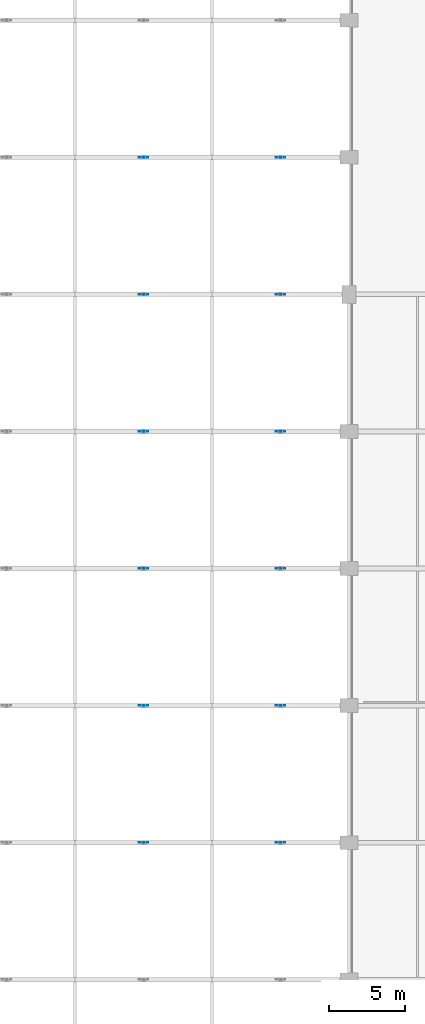
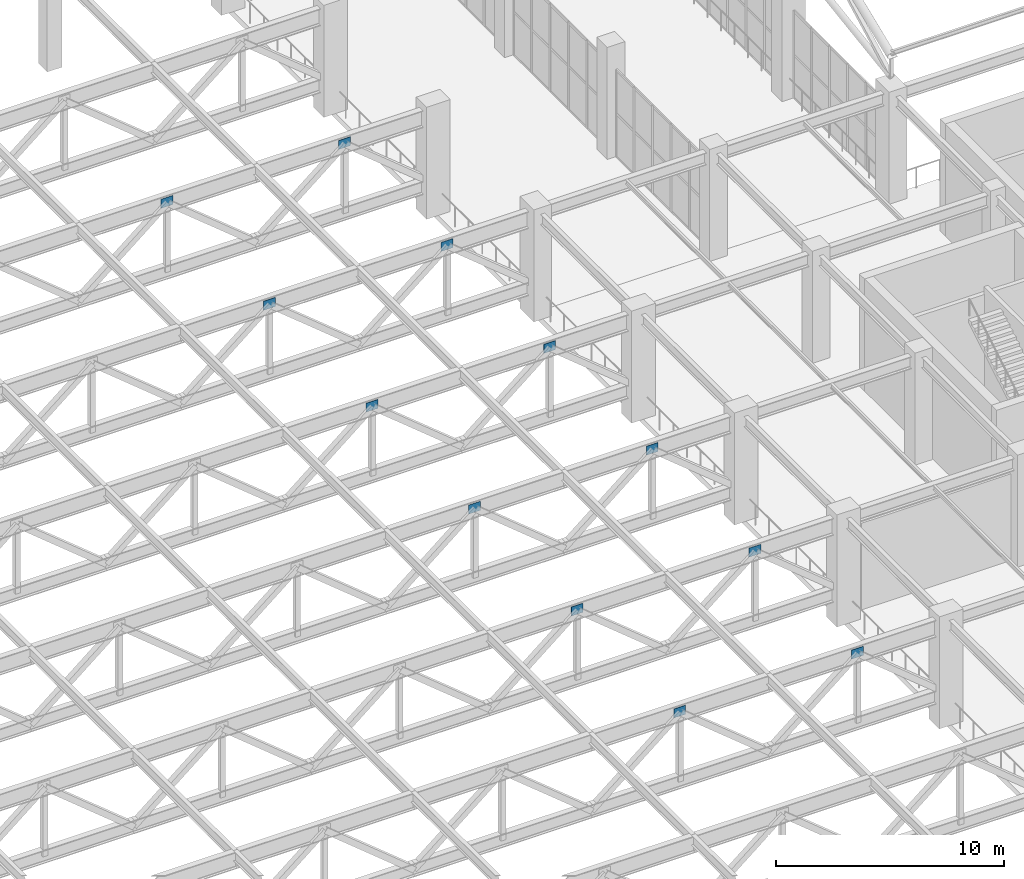
# One storey, part 185 of 223: 12 plates.
"""IFC4 building model written with IfcOpenShell, lengths in metres."""

import ifcopenshell
import ifcopenshell.guid

model = None  # the IFC model being written
_history = None  # IfcOwnerHistory: only IFC2X3 demands one
_inside = {}  # id of a spatial element -> (the spatial element, [elements in it])
_under = {}  # id of a project, library or spatial element -> (it, [spatial elements below it])
_declared = {}  # id of a project -> (the project, [libraries it declares])
_typed = {}  # id of a type object -> (the type object, [elements of that type])
_made_of = {}  # id of a material, layer set ... -> (it, [elements and type objects made of it])


def new_model(schema):
    """Start an empty IFC model of exactly this schema.

    Asked for "IFC4X3", IfcOpenShell would pick the latest addendum, in which some entities
    have other attributes; the version numbers below select the first issue.
    IFC2X3 requires an IfcOwnerHistory on every rooted entity: one is made here for all.
    """
    global model, _history
    if schema == "IFC4X3":
        model = ifcopenshell.file(schema_version=(4, 3, 0, 0))
    else:
        model = ifcopenshell.file(schema=schema)
    _inside.clear()
    _under.clear()
    _declared.clear()
    _typed.clear()
    _made_of.clear()
    _history = None
    if model.schema == "IFC2X3":
        org = make("IfcOrganization", Name="unknown")
        user = make(
            "IfcPersonAndOrganization",
            ThePerson=make("IfcPerson", FamilyName="unknown"),
            TheOrganization=org,
        )
        app = make(
            "IfcApplication",
            ApplicationDeveloper=org,
            Version="unknown",
            ApplicationFullName="unknown",
            ApplicationIdentifier="unknown",
        )
        _history = make(
            "IfcOwnerHistory",
            OwningUser=user,
            OwningApplication=app,
            ChangeAction="ADDED",
            CreationDate=0,
        )
    return model


def make(cls, **values):
    """One entity of the class cls with the attributes given. An attribute that is None is left unset."""
    return model.create_entity(
        cls, **{name: value for name, value in values.items() if value is not None}
    )


def rooted(cls, **values):
    """An entity with a GlobalId (a new one), such as an element, a storey or a relation."""
    return make(cls, GlobalId=ifcopenshell.guid.new(), OwnerHistory=_history, **values)


def si_unit(unit_type, name, prefix=None):
    """IfcSIUnit, for example si_unit("LENGTHUNIT", "METRE", prefix="MILLI")."""
    return make("IfcSIUnit", UnitType=unit_type, Prefix=prefix, Name=name)


def assignment(units):
    """IfcUnitAssignment: the units of a project."""
    return None if units is None else make("IfcUnitAssignment", Units=units)


def point(xyz):
    """IfcCartesianPoint."""
    return None if xyz is None else make("IfcCartesianPoint", Coordinates=xyz)


def direction(xyz):
    """IfcDirection."""
    return None if xyz is None else make("IfcDirection", DirectionRatios=xyz)


def frame(location, z_axis=None, x_axis=None):
    """IfcAxis2Placement3D, a coordinate frame: its origin and axes. An axis left out is left unset."""
    return make(
        "IfcAxis2Placement3D",
        Location=point(location),
        Axis=direction(z_axis),
        RefDirection=direction(x_axis),
    )


def frame_2d(location, x_axis=None):
    """IfcAxis2Placement2D, a coordinate frame in the plane: its origin and x axis."""
    return make(
        "IfcAxis2Placement2D", Location=point(location), RefDirection=direction(x_axis)
    )


def origin():
    """The frame at (0, 0, 0) with its axes left unset."""
    return frame((0.0, 0.0, 0.0))


def origin_2d():
    """The frame at (0, 0) in the plane with its x axis left unset."""
    return frame_2d((0.0, 0.0))


def place(relative_to, where):
    """IfcLocalPlacement: puts the frame where relative to a parent placement (None: the world)."""
    return make(
        "IfcLocalPlacement", PlacementRelTo=relative_to, RelativePlacement=where
    )


def context(
    kind, dimensions, precision=None, world=None, true_north=None, identifier=None
):
    """IfcGeometricRepresentationContext, for example the 3D "Model" context."""
    return make(
        "IfcGeometricRepresentationContext",
        ContextIdentifier=identifier,
        ContextType=kind,
        CoordinateSpaceDimension=dimensions,
        Precision=precision,
        WorldCoordinateSystem=world,
        TrueNorth=true_north,
    )


def subcontext(parent, identifier, kind, view, scale=None):
    """IfcGeometricRepresentationSubContext, for example "Body" below "Model"."""
    return make(
        "IfcGeometricRepresentationSubContext",
        ContextIdentifier=identifier,
        ContextType=kind,
        ParentContext=parent,
        TargetScale=scale,
        TargetView=view,
    )


def project(units=None, contexts=None):
    """IfcProject with its units and contexts."""
    return rooted(
        "IfcProject",
        Name="project",
        RepresentationContexts=contexts,
        UnitsInContext=assignment(units),
    )


def spatial(cls, under=None, at=None, **own):
    """A site, building, storey or space (cls), placed at a placement, below another one or the project."""
    s = rooted(cls, ObjectPlacement=at, **own)
    if under is not None:
        _under.setdefault(under.id(), (under, []))[1].append(s)
    return s


def profile(cls, at=None, kind="AREA", **sizes):
    """A parametric profile (cls). Its sizes go by their IFC names, for example OverallWidth=200.0."""
    return make(cls, ProfileType=kind, Position=at, **sizes)


def rectangle(**sizes):
    """IfcRectangleProfileDef."""
    return profile("IfcRectangleProfileDef", **sizes)


def extrude(swept, where, along, depth):
    """IfcExtrudedAreaSolid: the profile swept, set in the frame where, extruded along a direction by depth."""
    return make(
        "IfcExtrudedAreaSolid",
        SweptArea=swept,
        Position=where,
        ExtrudedDirection=direction(along),
        Depth=depth,
    )


def shape(context_of_items, identifier, shape_type, items):
    """IfcShapeRepresentation: the items that make up one representation, for example the "Body"."""
    return make(
        "IfcShapeRepresentation",
        ContextOfItems=context_of_items,
        RepresentationIdentifier=identifier,
        RepresentationType=shape_type,
        Items=items,
    )


def material(Name=None, Category=None):
    """IfcMaterial."""
    return make("IfcMaterial", Name=Name, Category=Category)


def layer(
    of_material, thickness, ventilated=None, Name=None, Category=None, Priority=None
):
    """IfcMaterialLayer: one layer of a wall or slab, of a material (None: an air gap)."""
    return make(
        "IfcMaterialLayer",
        Material=of_material,
        LayerThickness=thickness,
        IsVentilated=ventilated,
        Name=Name,
        Category=Category,
        Priority=Priority,
    )


def layer_set(layers, Name=None):
    """IfcMaterialLayerSet."""
    return make("IfcMaterialLayerSet", MaterialLayers=layers, LayerSetName=Name)


def made_of(thing, what):
    """Note that an element or type object is made of a material, layer set ...; save() writes the relation."""
    if what is not None:
        _made_of.setdefault(what.id(), (what, []))[1].append(thing)
    return thing


def type_object(cls, material=None, **own):
    """A type object (cls), such as IfcWallType, which elements share."""
    return made_of(rooted(cls, **own), material)


def element(
    cls,
    number,
    at=None,
    inside=None,
    cuts=None,
    type_object=None,
    material=None,
    context=None,
    identifier="Body",
    shape_type=None,
    held_by="IfcProductDefinitionShape",
    body=None,
    shapes=None,
    **own,
):
    """One element of the class cls, such as IfcWall. Its Tag is "e" and its number.

    at: its placement. inside: the storey or other place that contains it. cuts: it is an
    opening in that element (IfcRelVoidsElement). A single representation is given by context,
    identifier, shape_type and body (its items); several are given by shapes. held_by: the class
    of the entity that holds the representations. save() writes the other relations.
    """
    e = rooted(cls, Tag="e%d" % number, ObjectPlacement=at, **own)
    if body is not None:
        shapes = [shape(context, identifier, shape_type, body)]
    if shapes is not None:
        e.Representation = make(held_by, Representations=shapes)
    if inside is not None:
        _inside.setdefault(inside.id(), (inside, []))[1].append(e)
    if cuts is not None:
        rooted(
            "IfcRelVoidsElement", RelatingBuildingElement=cuts, RelatedOpeningElement=e
        )
    if type_object is not None:
        _typed.setdefault(type_object.id(), (type_object, []))[1].append(e)
    return made_of(e, material)


def aggregate(whole, parts):
    """IfcRelAggregates: a whole, such as a stair, and the parts it consists of."""
    return rooted("IfcRelAggregates", RelatingObject=whole, RelatedObjects=parts)


def save(model, path):
    """Write the relations noted so far, then the file.

    IfcRelAggregates (storeys below a building ...), IfcRelContainedInSpatialStructure (elements
    in a storey), IfcRelDefinesByType, IfcRelAssociatesMaterial and IfcRelDeclares: one each for
    every whole, place, type object, material and project.
    """
    for whole, parts in _under.values():
        aggregate(whole, parts)
    for where, things in _inside.values():
        rooted(
            "IfcRelContainedInSpatialStructure",
            RelatedElements=things,
            RelatingStructure=where,
        )
    for kind, things in _typed.values():
        rooted("IfcRelDefinesByType", RelatedObjects=things, RelatingType=kind)
    for what, things in _made_of.values():
        rooted("IfcRelAssociatesMaterial", RelatedObjects=things, RelatingMaterial=what)
    for by, libraries in _declared.values():
        rooted("IfcRelDeclares", RelatingContext=by, RelatedDefinitions=libraries)
    model.write(path)


model = new_model("IFC4")

# Units and contexts
model_context = context("Model", 3, precision=1e-05, world=origin(), true_north=direction((0.0, 1.0)))
body_context = subcontext(model_context, "Body", "Model", "MODEL_VIEW")
ifc_project = project(units=[si_unit("LENGTHUNIT", "METRE"), si_unit("AREAUNIT", "SQUARE_METRE"), si_unit("VOLUMEUNIT", "CUBIC_METRE"), si_unit("PLANEANGLEUNIT", "RADIAN"), si_unit("MASSUNIT", "GRAM", prefix="KILO")], contexts=[model_context])

# Site, building, storey
site_placement = place(None, origin())
site = spatial("IfcSite", under=ifc_project, at=site_placement, CompositionType="ELEMENT")
building_placement = place(site_placement, origin())
building = spatial("IfcBuilding", under=site, at=building_placement, Name="Dornveld Trade and Exhibition Forum", CompositionType="ELEMENT")
storey_placement = place(building_placement, frame((0.0, 0.0, 6.0)))
storey = spatial("IfcBuildingStorey", under=building, at=storey_placement, Name="L01", CompositionType="ELEMENT", Elevation=6.0)

# Plates
ifc_material = material(Name="Steel S355J2", Category="steel")
ifc_layer = layer(ifc_material, 0.031982421875)
ifc_layer_set = layer_set([ifc_layer], Name="Steel S355J2")
plate_type = type_object("IfcPlateType", Name="PL-GUS-600x32", PredefinedType="USERDEFINED", material=ifc_layer_set)
for number, where, z_axis, x_axis, name in (
    (1, (67.5, 72.0, 4.945068359375), (0.0, 0.0, 1.0), (1.0, 0.0, 0.0), "Transfer truss gusset plate 23"),
    (2, (76.5, 72.0, 4.945068359375), (0.0, 0.0, 1.0), (1.0, 0.0, 0.0), "Transfer truss gusset plate 24"),
    (3, (67.5, 81.0, 4.945068359375), (0.0, 0.0, 1.0), (1.0, 0.0, 0.0), "Transfer truss gusset plate 29"),
    (4, (76.5, 81.0, 4.945068359375), (0.0, 0.0, 1.0), (1.0, 0.0, 0.0), "Transfer truss gusset plate 30"),
    (5, (67.5, 90.0, 4.945068359375), (0.0, 0.0, 1.0), (1.0, 0.0, 0.0), "Transfer truss gusset plate 35"),
    (6, (76.5, 90.0, 4.945068359375), (0.0, 0.0, 1.0), (1.0, 0.0, 0.0), "Transfer truss gusset plate 36"),
    (7, (67.5, 99.0, 4.945068359375), (0.0, 0.0, 1.0), (1.0, 0.0, 0.0), "Transfer truss gusset plate 41"),
    (8, (76.5, 99.0, 4.945068359375), (0.0, 0.0, 1.0), (1.0, 0.0, 0.0), "Transfer truss gusset plate 42"),
    (9, (67.5, 108.0, 4.945068359375), (0.0, 0.0, 1.0), (1.0, 0.0, 0.0), "Transfer truss gusset plate 47"),
    (10, (76.5, 108.0, 4.945068359375), (0.0, 0.0, 1.0), (1.0, 0.0, 0.0), "Transfer truss gusset plate 48"),
    (11, (67.5, 117.0, 4.945068359375), (0.0, 0.0, 1.0), (1.0, 0.0, 0.0), "Transfer truss gusset plate 53"),
    (12, (76.5, 117.0, 4.945068359375), (0.0, 0.0, 1.0), (1.0, 0.0, 0.0), "Transfer truss gusset plate 54"),
):
    element("IfcPlate", number, at=place(storey_placement, frame(where, z_axis=z_axis, x_axis=x_axis)), inside=storey, type_object=plate_type, Name=name, ObjectType="GUSSET", PredefinedType="USERDEFINED", context=body_context, shape_type="SweptSolid", body=[
        extrude(rectangle(XDim=0.60009765625, YDim=0.031982421875, at=origin_2d()), origin(), (0.0, 0.0, 1.0), 0.47998046875),
    ])

save(model, "model.ifc")
